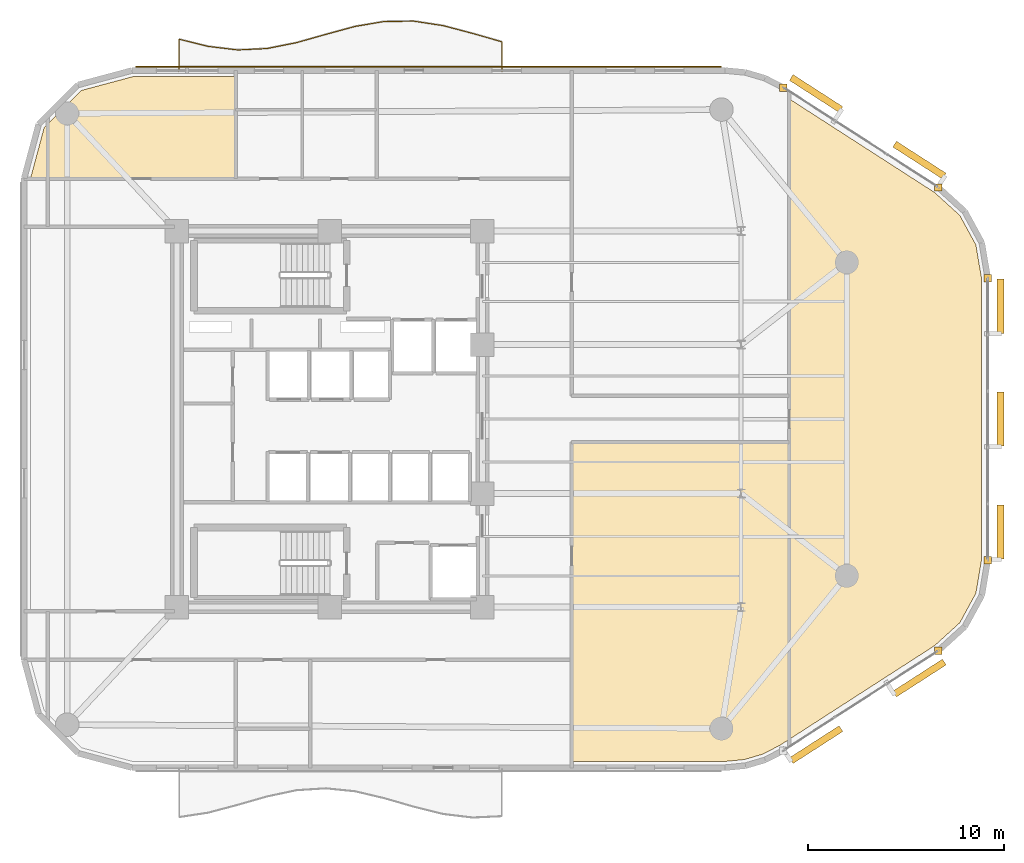
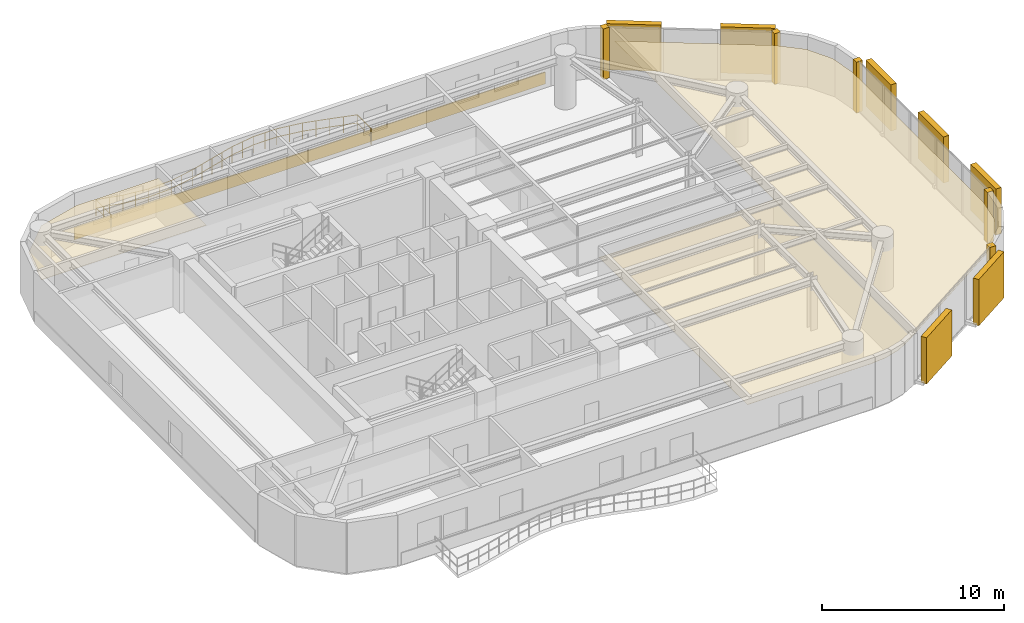
# One storey, part 14 of 14: 9 coverings, 7 shading devices, 1 railing.
"""IFC4 building model written with IfcOpenShell, lengths in metres."""

from ifc_helpers import new_model, si_unit, direction, frame, origin, origin_2d, place, context, subcontext, project, spatial, polyline, rectangle, circle, outline, extrude, material, layer, layer_set, type_object, element, save


model = new_model("IFC4")

# Units and contexts
model_context = context("Model", 3, precision=1e-05, world=origin(), true_north=direction((0.0, 1.0)))
body_context = subcontext(model_context, "Body", "Model", "MODEL_VIEW")
ifc_project = project(units=[si_unit("LENGTHUNIT", "METRE"), si_unit("AREAUNIT", "SQUARE_METRE"), si_unit("VOLUMEUNIT", "CUBIC_METRE"), si_unit("PLANEANGLEUNIT", "RADIAN"), si_unit("MASSUNIT", "GRAM", prefix="KILO")], contexts=[model_context])

# Site, building, storey
site_placement = place(None, origin())
site = spatial("IfcSite", under=ifc_project, at=site_placement, CompositionType="ELEMENT")
building_placement = place(site_placement, origin())
building = spatial("IfcBuilding", under=site, at=building_placement, Name="An Khanh Terracotta Commons", CompositionType="ELEMENT")
storey_placement = place(building_placement, frame((0.0, 0.0, 158.199951171875)))
storey = spatial("IfcBuildingStorey", under=building, at=storey_placement, Name="L41", CompositionType="ELEMENT", Elevation=158.199951171875)

# Coverings
ifc_material_1 = material(Name="Perforated Mineral-Fibre Acoustic Tile")
ifc_layer_1 = layer(ifc_material_1, 0.02001953125, Name="Perforated Mineral-Fibre Acoustic Tile")
ifc_layer_set_1 = layer_set([ifc_layer_1], Name="Perforated Mineral-Fibre Acoustic Tile")
covering_type_1 = type_object("IfcCoveringType", Name="CEIL-ACOUSTIC-18", PredefinedType="CEILING", material=ifc_layer_set_1)
covering_1_placement = place(storey_placement, frame((0.0, 0.0, 2.650146484375)))
element("IfcCovering", 1, at=covering_1_placement, inside=storey, type_object=covering_type_1, Name="L41 Riverfront Reading Hall Ceiling", PredefinedType="CEILING", context=body_context, shape_type="SweptSolid", body=[
    extrude(outline(polyline([(52.39892578125, 7.35302734375), (51.510009765625, 6.89306640625), (50.56396484375, 6.615966796875), (49.56689453125, 6.52001953125), (41.75, 6.52001953125), (41.75, 11.719970703125), (41.75, 14.179931640625), (41.75, 22.820068359375), (52.85009765625, 22.820068359375), (52.85009765625, 7.64306640625), (52.39892578125, 7.35302734375)])), origin(), (0.0, 0.0, 1.0), 0.02001953125),
])
covering_2_placement = place(storey_placement, frame((0.0, 0.0, 2.650146484375)))
element("IfcCovering", 2, at=covering_2_placement, inside=storey, type_object=covering_type_1, Name="L41 Riverfront Reference Library Ceiling", PredefinedType="CEILING", context=body_context, shape_type="SweptSolid", body=[
    extrude(outline(polyline([(60.281982421875, 35.569091796875), (61.571044921875, 34.39697265625), (62.39111328125, 32.89111328125), (62.679931640625, 31.173095703125), (62.679931640625, 16.826904296875), (62.39111328125, 15.10888671875), (61.571044921875, 13.60302734375), (60.281982421875, 12.430908203125), (52.85009765625, 7.64306640625), (52.85009765625, 22.820068359375), (52.85009765625, 25.179931640625), (52.85009765625, 40.35693359375), (60.281982421875, 35.569091796875)])), origin(), (0.0, 0.0, 1.0), 0.02001953125),
])
covering_3_placement = place(storey_placement, frame((0.0, 0.0, 2.650146484375)))
element("IfcCovering", 3, at=covering_3_placement, inside=storey, type_object=covering_type_1, Name="L41 Student Reading Library Ceiling", PredefinedType="CEILING", context=body_context, shape_type="SweptSolid", body=[
    extrude(outline(polyline([(19.342041015625, 41.47998046875), (24.60009765625, 41.47998046875), (24.60009765625, 39.800048828125), (24.60009765625, 36.280029296875), (15.0, 36.280029296875), (14.1259765625, 36.280029296875), (14.823974609375, 38.884033203125), (16.716064453125, 40.77587890625), (19.342041015625, 41.47998046875)])), origin(), (0.0, 0.0, 1.0), 0.02001953125),
])
ifc_material_2 = material(Name="Fired Terracotta Rainscreen Cladding", Category="masonry")
ifc_layer_2 = layer(ifc_material_2, 0.080078125, Name="Fired Terracotta Rainscreen Cladding")
ifc_layer_set_2 = layer_set([ifc_layer_2], Name="Fired Terracotta Rainscreen Cladding")
covering_type_2 = type_object("IfcCoveringType", Name="COV-JAMB-TERRA", PredefinedType="CLADDING", material=ifc_layer_set_2)
for number, where, z_axis, x_axis, name in (
    (4, (60.47802734375, 12.176025390625, 0.0), (0.0, 0.0, 1.0), (1.0, 0.0, 0.0), "L41 CW-03 Curtain-Wall Jamb Closure JB"),
    (5, (63.0, 16.800048828125, 0.0), (0.0, 0.0, 1.0), (1.0, 0.0, 0.0), "L41 CW-03 Curtain-Wall Jamb Closure JA"),
    (6, (63.0, 31.199951171875, 0.0), (0.0, 0.0, 1.0), (1.0, 0.0, 0.0), "L41 CW-03 Curtain-Wall Jamb Closure JB"),
    (7, (60.47802734375, 35.823974609375, 0.0), (0.0, 0.0, 1.0), (1.0, 0.0, 0.0), "L41 CW-03 Curtain-Wall Jamb Closure JA"),
    (8, (52.56005859375, 40.924072265625, 0.0), (0.0, 0.0, 1.0), (1.0, 0.0, 0.0), "L41 CW-03 Curtain-Wall Jamb Closure JB"),
):
    element("IfcCovering", number, at=place(storey_placement, frame(where, z_axis=z_axis, x_axis=x_axis)), inside=storey, type_object=covering_type_2, Name=name, PredefinedType="CLADDING", context=body_context, shape_type="SweptSolid", body=[
        extrude(rectangle(XDim=0.3798828125, YDim=0.3798828125, at=origin_2d()), origin(), (0.0, 0.0, 1.0), 3.39990234375),
    ])
ifc_layer_3 = layer(ifc_material_2, 0.06005859375, Name="Fired Terracotta Rainscreen Cladding")
ifc_layer_set_3 = layer_set([ifc_layer_3], Name="Fired Terracotta Rainscreen Cladding")
covering_type_3 = type_object("IfcCoveringType", Name="COV-SPANDREL-TERRA", PredefinedType="CLADDING", material=ifc_layer_set_3)
covering_4_placement = place(storey_placement, frame((34.44091796875, 41.97998046875, 0.02001953125), z_axis=(0.0, 0.0, 1.0), x_axis=(-1.0, 0.0, 0.0)))
element("IfcCovering", 9, at=covering_4_placement, inside=storey, type_object=covering_type_3, Name="L41 Terracotta Spandrel Cladding 20", PredefinedType="CLADDING", context=body_context, shape_type="SweptSolid", body=[
    extrude(rectangle(XDim=29.882080078125, YDim=0.06005859375, at=origin_2d()), origin(), (0.0, 0.0, 1.0), 0.800048828125),
])

# Railing
ifc_material_3 = material(Name="Brushed Stainless Steel 316", Category="steel")
railing_type = type_object("IfcRailingType", Name="RAIL-BALUSTRADE-1100", PredefinedType="BALUSTRADE", material=ifc_material_3)
railing_placement = place(storey_placement, frame((38.199951171875, 41.739990234375, 0.0)))
element("IfcRailing", 10, at=railing_placement, inside=storey, type_object=railing_type, Name="L41 N Wave Balcony Guard Balustrade", PredefinedType="BALUSTRADE", context=body_context, shape_type="SweptSolid", body=[
    extrude(circle(Radius=0.02392578125, at=origin_2d()), frame((0.0, 0.0, 1.076171875), z_axis=(0.0, 1.0, 0.0), x_axis=(-1.0, 0.0, 0.0)), (0.0, 0.0, 1.0), 1.51806640625),
    extrude(circle(Radius=0.02392578125, at=origin_2d()), frame((0.0, 0.0, 0.52587890625), z_axis=(0.0, 1.0, 0.0), x_axis=(-1.0, 0.0, 0.0)), (0.0, 0.0, 1.0), 1.51806640625),
    extrude(circle(Radius=0.02392578125, at=origin_2d()), frame((0.0, 1.51806640625, 1.076171875), z_axis=(-0.961293347262, 0.275526950607, 0.0), x_axis=(-0.275526950607, -0.961293347262, 0.0)), (0.0, 0.0, 1.0), 1.560302734375),
    extrude(circle(Radius=0.02392578125, at=origin_2d()), frame((0.0, 1.51806640625, 0.52587890625), z_axis=(-0.961293347262, 0.275526950607, 0.0), x_axis=(-0.275526950607, -0.961293347262, 0.0)), (0.0, 0.0, 1.0), 1.560302734375),
    extrude(circle(Radius=0.02392578125, at=origin_2d()), frame((-1.5, 1.947998046875, 1.076171875), z_axis=(-0.966718963822, 0.255840663277, 0.0), x_axis=(-0.255840663277, -0.966718963822, 0.0)), (0.0, 0.0, 1.0), 1.5517578125),
    extrude(circle(Radius=0.02392578125, at=origin_2d()), frame((-1.5, 1.947998046875, 0.52587890625), z_axis=(-0.966718963822, 0.255840663277, 0.0), x_axis=(-0.255840663277, -0.966718963822, 0.0)), (0.0, 0.0, 1.0), 1.5517578125),
    extrude(circle(Radius=0.02392578125, at=origin_2d()), frame((-3.0, 2.344970703125, 1.076171875), z_axis=(-0.988545890906, 0.15092058035, 0.0), x_axis=(-0.15092058035, -0.988545890906, 0.0)), (0.0, 0.0, 1.0), 1.517333984375),
    extrude(circle(Radius=0.02392578125, at=origin_2d()), frame((-3.0, 2.344970703125, 0.52587890625), z_axis=(-0.988545890906, 0.15092058035, 0.0), x_axis=(-0.15092058035, -0.988545890906, 0.0)), (0.0, 0.0, 1.0), 1.517333984375),
    extrude(circle(Radius=0.02392578125, at=origin_2d()), frame((-4.5, 2.573974609375, 1.076171875), z_axis=(-0.999956968224, -0.009276944529, 0.0), x_axis=(0.009276944529, -0.999956968224, 0.0)), (0.0, 0.0, 1.0), 1.5),
    extrude(circle(Radius=0.02392578125, at=origin_2d()), frame((-4.5, 2.573974609375, 0.52587890625), z_axis=(-0.999956968224, -0.009276944529, 0.0), x_axis=(0.009276944529, -0.999956968224, 0.0)), (0.0, 0.0, 1.0), 1.5),
    extrude(circle(Radius=0.02392578125, at=origin_2d()), frame((-6.0, 2.56005859375, 1.076171875), z_axis=(-0.986079829755, -0.16627257546, 0.0), x_axis=(0.16627257546, -0.986079829755, 0.0)), (0.0, 0.0, 1.0), 1.521240234375),
    extrude(circle(Radius=0.02392578125, at=origin_2d()), frame((-6.0, 2.56005859375, 0.52587890625), z_axis=(-0.986079829755, -0.16627257546, 0.0), x_axis=(0.16627257546, -0.986079829755, 0.0)), (0.0, 0.0, 1.0), 1.521240234375),
    extrude(circle(Radius=0.02392578125, at=origin_2d()), frame((-7.5, 2.30712890625, 1.076171875), z_axis=(-0.964908643051, -0.262585815622, 0.0), x_axis=(0.262585815622, -0.964908643051, 0.0)), (0.0, 0.0, 1.0), 1.554443359375),
    extrude(circle(Radius=0.02392578125, at=origin_2d()), frame((-7.5, 2.30712890625, 0.52587890625), z_axis=(-0.964908643051, -0.262585815622, 0.0), x_axis=(0.262585815622, -0.964908643051, 0.0)), (0.0, 0.0, 1.0), 1.554443359375),
    extrude(circle(Radius=0.02392578125, at=origin_2d()), frame((-9.0, 1.89892578125, 1.076171875), z_axis=(-0.962323659406, -0.271906554806, 0.0), x_axis=(0.271906554806, -0.962323659406, 0.0)), (0.0, 0.0, 1.0), 1.558837890625),
    extrude(circle(Radius=0.02392578125, at=origin_2d()), frame((-9.0, 1.89892578125, 0.52587890625), z_axis=(-0.962323659406, -0.271906554806, 0.0), x_axis=(0.271906554806, -0.962323659406, 0.0)), (0.0, 0.0, 1.0), 1.558837890625),
    extrude(circle(Radius=0.02392578125, at=origin_2d()), frame((-10.5, 1.47509765625, 1.076171875), z_axis=(-0.980819402607, -0.194918699639, 0.0), x_axis=(0.194918699639, -0.980819402607, 0.0)), (0.0, 0.0, 1.0), 1.529296875),
    extrude(circle(Radius=0.02392578125, at=origin_2d()), frame((-10.5, 1.47509765625, 0.52587890625), z_axis=(-0.980819402607, -0.194918699639, 0.0), x_axis=(0.194918699639, -0.980819402607, 0.0)), (0.0, 0.0, 1.0), 1.529296875),
    extrude(circle(Radius=0.02392578125, at=origin_2d()), frame((-12.0, 1.177001953125, 1.076171875), z_axis=(-0.998880243389, -0.047310245903, 0.0), x_axis=(0.047310245903, -0.998880243389, 0.0)), (0.0, 0.0, 1.0), 1.501708984375),
    extrude(circle(Radius=0.02392578125, at=origin_2d()), frame((-12.0, 1.177001953125, 0.52587890625), z_axis=(-0.998880243389, -0.047310245903, 0.0), x_axis=(0.047310245903, -0.998880243389, 0.0)), (0.0, 0.0, 1.0), 1.501708984375),
    extrude(circle(Radius=0.02392578125, at=origin_2d()), frame((-13.5, 1.10595703125, 1.076171875), z_axis=(-0.99288219023, 0.11910061429, 0.0), x_axis=(-0.11910061429, -0.99288219023, 0.0)), (0.0, 0.0, 1.0), 1.5107421875),
    extrude(circle(Radius=0.02392578125, at=origin_2d()), frame((-13.5, 1.10595703125, 0.52587890625), z_axis=(-0.99288219023, 0.11910061429, 0.0), x_axis=(-0.11910061429, -0.99288219023, 0.0)), (0.0, 0.0, 1.0), 1.5107421875),
    extrude(circle(Radius=0.02392578125, at=origin_2d()), frame((-15.0, 1.285888671875, 1.076171875), z_axis=(-0.970881568768, 0.239559970419, 0.0), x_axis=(-0.239559970419, -0.970881568768, 0.0)), (0.0, 0.0, 1.0), 1.544921875),
    extrude(circle(Radius=0.02392578125, at=origin_2d()), frame((-15.0, 1.285888671875, 0.52587890625), z_axis=(-0.970881568768, 0.239559970419, 0.0), x_axis=(-0.239559970419, -0.970881568768, 0.0)), (0.0, 0.0, 1.0), 1.544921875),
    extrude(circle(Radius=0.02392578125, at=origin_2d()), frame((-16.5, 1.656005859375, 1.076171875), z_axis=(0.0, -1.0, 0.0), x_axis=(1.0, 0.0, 0.0)), (0.0, 0.0, 1.0), 1.656005859375),
    extrude(circle(Radius=0.02392578125, at=origin_2d()), frame((-16.5, 1.656005859375, 0.52587890625), z_axis=(0.0, -1.0, 0.0), x_axis=(1.0, 0.0, 0.0)), (0.0, 0.0, 1.0), 1.656005859375),
    extrude(circle(Radius=0.02099609375, at=origin_2d()), origin(), (0.0, 0.0, 1.0), 1.052001953125),
    extrude(circle(Radius=0.02099609375, at=origin_2d()), frame((0.0, 0.759033203125, 0.0)), (0.0, 0.0, 1.0), 1.052001953125),
    extrude(circle(Radius=0.02099609375, at=origin_2d()), frame((0.0, 1.51806640625, 0.0)), (0.0, 0.0, 1.0), 1.052001953125),
    extrude(circle(Radius=0.02099609375, at=origin_2d()), frame((-0.75, 1.73291015625, 0.0)), (0.0, 0.0, 1.0), 1.052001953125),
    extrude(circle(Radius=0.02099609375, at=origin_2d()), frame((-1.5, 1.947998046875, 0.0)), (0.0, 0.0, 1.0), 1.052001953125),
    extrude(circle(Radius=0.02099609375, at=origin_2d()), frame((-2.25, 2.146484375, 0.0)), (0.0, 0.0, 1.0), 1.052001953125),
    extrude(circle(Radius=0.02099609375, at=origin_2d()), frame((-3.0, 2.344970703125, 0.0)), (0.0, 0.0, 1.0), 1.052001953125),
    extrude(circle(Radius=0.02099609375, at=origin_2d()), frame((-3.75, 2.45947265625, 0.0)), (0.0, 0.0, 1.0), 1.052001953125),
    extrude(circle(Radius=0.02099609375, at=origin_2d()), frame((-4.5, 2.573974609375, 0.0)), (0.0, 0.0, 1.0), 1.052001953125),
    extrude(circle(Radius=0.02099609375, at=origin_2d()), frame((-5.25, 2.56689453125, 0.0)), (0.0, 0.0, 1.0), 1.052001953125),
    extrude(circle(Radius=0.02099609375, at=origin_2d()), frame((-6.0, 2.56005859375, 0.0)), (0.0, 0.0, 1.0), 1.052001953125),
    extrude(circle(Radius=0.02099609375, at=origin_2d()), frame((-6.75, 2.43359375, 0.0)), (0.0, 0.0, 1.0), 1.052001953125),
    extrude(circle(Radius=0.02099609375, at=origin_2d()), frame((-7.5, 2.30712890625, 0.0)), (0.0, 0.0, 1.0), 1.052001953125),
    extrude(circle(Radius=0.02099609375, at=origin_2d()), frame((-8.25, 2.10302734375, 0.0)), (0.0, 0.0, 1.0), 1.052001953125),
    extrude(circle(Radius=0.02099609375, at=origin_2d()), frame((-9.0, 1.89892578125, 0.0)), (0.0, 0.0, 1.0), 1.052001953125),
    extrude(circle(Radius=0.02099609375, at=origin_2d()), frame((-9.75, 1.68701171875, 0.0)), (0.0, 0.0, 1.0), 1.052001953125),
    extrude(circle(Radius=0.02099609375, at=origin_2d()), frame((-10.5, 1.47509765625, 0.0)), (0.0, 0.0, 1.0), 1.052001953125),
    extrude(circle(Radius=0.02099609375, at=origin_2d()), frame((-11.25, 1.326171875, 0.0)), (0.0, 0.0, 1.0), 1.052001953125),
    extrude(circle(Radius=0.02099609375, at=origin_2d()), frame((-12.0, 1.177001953125, 0.0)), (0.0, 0.0, 1.0), 1.052001953125),
    extrude(circle(Radius=0.02099609375, at=origin_2d()), frame((-12.75, 1.1416015625, 0.0)), (0.0, 0.0, 1.0), 1.052001953125),
    extrude(circle(Radius=0.02099609375, at=origin_2d()), frame((-13.5, 1.10595703125, 0.0)), (0.0, 0.0, 1.0), 1.052001953125),
    extrude(circle(Radius=0.02099609375, at=origin_2d()), frame((-14.25, 1.19580078125, 0.0)), (0.0, 0.0, 1.0), 1.052001953125),
    extrude(circle(Radius=0.02099609375, at=origin_2d()), frame((-15.0, 1.285888671875, 0.0)), (0.0, 0.0, 1.0), 1.052001953125),
    extrude(circle(Radius=0.02099609375, at=origin_2d()), frame((-15.75, 1.470947265625, 0.0)), (0.0, 0.0, 1.0), 1.052001953125),
    extrude(circle(Radius=0.02099609375, at=origin_2d()), frame((-16.5, 1.656005859375, 0.0)), (0.0, 0.0, 1.0), 1.052001953125),
    extrude(circle(Radius=0.02099609375, at=origin_2d()), frame((-16.5, 0.828125, 0.0)), (0.0, 0.0, 1.0), 1.052001953125),
    extrude(circle(Radius=0.02099609375, at=origin_2d()), frame((-16.5, 0.0, 0.0)), (0.0, 0.0, 1.0), 1.052001953125),
])

# Shading devices
ifc_material_4 = material(Name="Extruded Fired Terracotta", Category="masonry")
shading_device_type = type_object("IfcShadingDeviceType", Name="Terracotta Baguette Screen Assembly", PredefinedType="USERDEFINED", material=ifc_material_4)
for number, where, z_axis, x_axis, name in (
    (11, (54.23193359375, 7.3798828125, 0.14990234375), (0.0, 0.0, 1.0), (0.840702081986, 0.541497931062, 0.0), "L41 Terracotta Baguette Screen 1"),
    (12, (59.510009765625, 10.780029296875, 0.14990234375), (0.0, 0.0, 1.0), (0.840702081986, 0.541497931062, 0.0), "L41 Terracotta Baguette Screen 3"),
):
    element("IfcShadingDevice", number, at=place(storey_placement, frame(where, z_axis=z_axis, x_axis=x_axis)), inside=storey, type_object=shading_device_type, Name=name, ObjectType="BAGUETTE", PredefinedType="USERDEFINED", context=body_context, shape_type="SweptSolid", body=[
        extrude(rectangle(XDim=3.01904296875, YDim=0.35009765625, at=origin_2d()), origin(), (0.0, 0.0, 1.0), 3.10009765625),
    ])
for number, where, z_axis, x_axis, name in (
    (13, (63.64990234375, 18.239990234375, 0.14990234375), (0.0, 0.0, 1.0), (0.0, 1.0, 0.0), "L41 Terracotta Baguette Screen 1"),
    (14, (63.64990234375, 24.0, 0.14990234375), (0.0, 0.0, 1.0), (0.0, 1.0, 0.0), "L41 Terracotta Baguette Screen 3"),
    (15, (63.64990234375, 29.760009765625, 0.14990234375), (0.0, 0.0, 1.0), (0.0, 1.0, 0.0), "L41 Terracotta Baguette Screen 5"),
):
    element("IfcShadingDevice", number, at=place(storey_placement, frame(where, z_axis=z_axis, x_axis=x_axis)), inside=storey, type_object=shading_device_type, Name=name, ObjectType="BAGUETTE", PredefinedType="USERDEFINED", context=body_context, shape_type="SweptSolid", body=[
        extrude(rectangle(XDim=2.760009765625, YDim=0.35009765625, at=origin_2d()), origin(), (0.0, 0.0, 1.0), 3.10009765625),
    ])
for number, where, z_axis, x_axis, name in (
    (16, (59.510009765625, 37.219970703125, 0.14990234375), (0.0, 0.0, 1.0), (-0.840702081986, 0.541497931062, 0.0), "L41 Terracotta Baguette Screen 1"),
    (17, (54.23193359375, 40.6201171875, 0.14990234375), (0.0, 0.0, 1.0), (-0.840702081986, 0.541497931062, 0.0), "L41 Terracotta Baguette Screen 3"),
):
    element("IfcShadingDevice", number, at=place(storey_placement, frame(where, z_axis=z_axis, x_axis=x_axis)), inside=storey, type_object=shading_device_type, Name=name, ObjectType="BAGUETTE", PredefinedType="USERDEFINED", context=body_context, shape_type="SweptSolid", body=[
        extrude(rectangle(XDim=3.01904296875, YDim=0.35009765625, at=origin_2d()), origin(), (0.0, 0.0, 1.0), 3.10009765625),
    ])

save(model, "model.ifc")
